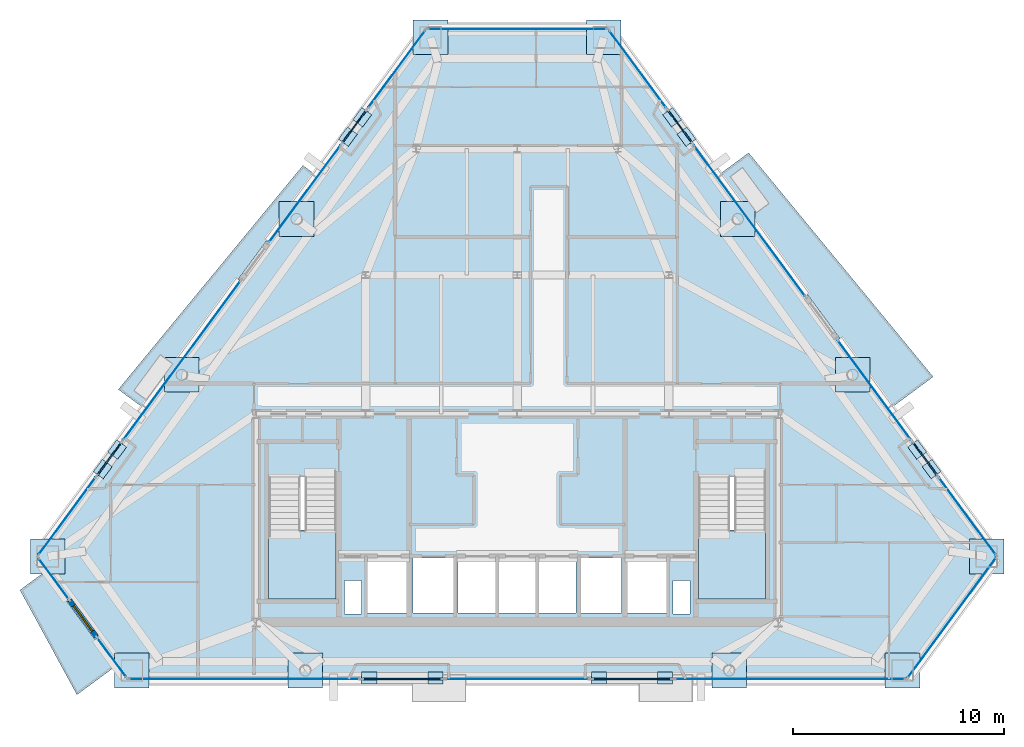
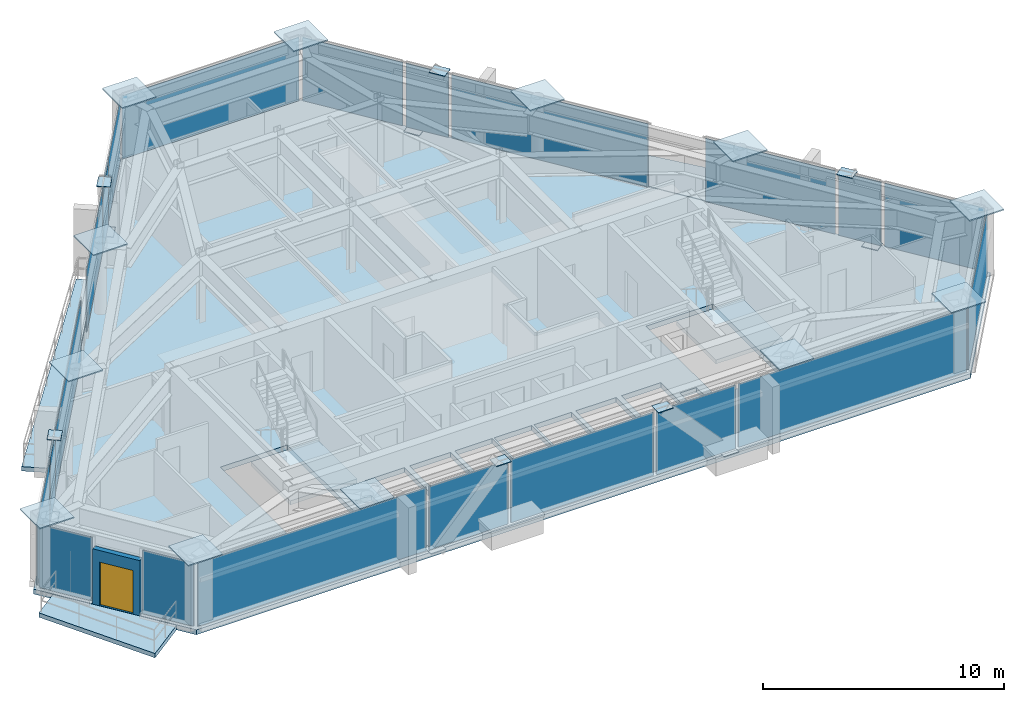
# One storey, part 6 of 12: 45 plates, 6 slabs, 1 door, 1 wall, 1 opening, 23 elements without a shape of their own.
"""IFC4 building model written with IfcOpenShell, lengths in metres."""

import ifcopenshell
import ifcopenshell.guid

model = None  # the IFC model being written
_history = None  # IfcOwnerHistory: only IFC2X3 demands one
_inside = {}  # id of a spatial element -> (the spatial element, [elements in it])
_under = {}  # id of a project, library or spatial element -> (it, [spatial elements below it])
_declared = {}  # id of a project -> (the project, [libraries it declares])
_typed = {}  # id of a type object -> (the type object, [elements of that type])
_made_of = {}  # id of a material, layer set ... -> (it, [elements and type objects made of it])


def new_model(schema):
    """Start an empty IFC model of exactly this schema.

    Asked for "IFC4X3", IfcOpenShell would pick the latest addendum, in which some entities
    have other attributes; the version numbers below select the first issue.
    IFC2X3 requires an IfcOwnerHistory on every rooted entity: one is made here for all.
    """
    global model, _history
    if schema == "IFC4X3":
        model = ifcopenshell.file(schema_version=(4, 3, 0, 0))
    else:
        model = ifcopenshell.file(schema=schema)
    _inside.clear()
    _under.clear()
    _declared.clear()
    _typed.clear()
    _made_of.clear()
    _history = None
    if model.schema == "IFC2X3":
        org = make("IfcOrganization", Name="unknown")
        user = make(
            "IfcPersonAndOrganization",
            ThePerson=make("IfcPerson", FamilyName="unknown"),
            TheOrganization=org,
        )
        app = make(
            "IfcApplication",
            ApplicationDeveloper=org,
            Version="unknown",
            ApplicationFullName="unknown",
            ApplicationIdentifier="unknown",
        )
        _history = make(
            "IfcOwnerHistory",
            OwningUser=user,
            OwningApplication=app,
            ChangeAction="ADDED",
            CreationDate=0,
        )
    return model


def make(cls, **values):
    """One entity of the class cls with the attributes given. An attribute that is None is left unset."""
    return model.create_entity(
        cls, **{name: value for name, value in values.items() if value is not None}
    )


def rooted(cls, **values):
    """An entity with a GlobalId (a new one), such as an element, a storey or a relation."""
    return make(cls, GlobalId=ifcopenshell.guid.new(), OwnerHistory=_history, **values)


def si_unit(unit_type, name, prefix=None):
    """IfcSIUnit, for example si_unit("LENGTHUNIT", "METRE", prefix="MILLI")."""
    return make("IfcSIUnit", UnitType=unit_type, Prefix=prefix, Name=name)


def assignment(units):
    """IfcUnitAssignment: the units of a project."""
    return None if units is None else make("IfcUnitAssignment", Units=units)


def point(xyz):
    """IfcCartesianPoint."""
    return None if xyz is None else make("IfcCartesianPoint", Coordinates=xyz)


def direction(xyz):
    """IfcDirection."""
    return None if xyz is None else make("IfcDirection", DirectionRatios=xyz)


def frame(location, z_axis=None, x_axis=None):
    """IfcAxis2Placement3D, a coordinate frame: its origin and axes. An axis left out is left unset."""
    return make(
        "IfcAxis2Placement3D",
        Location=point(location),
        Axis=direction(z_axis),
        RefDirection=direction(x_axis),
    )


def frame_2d(location, x_axis=None):
    """IfcAxis2Placement2D, a coordinate frame in the plane: its origin and x axis."""
    return make(
        "IfcAxis2Placement2D", Location=point(location), RefDirection=direction(x_axis)
    )


def origin():
    """The frame at (0, 0, 0) with its axes left unset."""
    return frame((0.0, 0.0, 0.0))


def origin_2d():
    """The frame at (0, 0) in the plane with its x axis left unset."""
    return frame_2d((0.0, 0.0))


def place(relative_to, where):
    """IfcLocalPlacement: puts the frame where relative to a parent placement (None: the world)."""
    return make(
        "IfcLocalPlacement", PlacementRelTo=relative_to, RelativePlacement=where
    )


def context(
    kind, dimensions, precision=None, world=None, true_north=None, identifier=None
):
    """IfcGeometricRepresentationContext, for example the 3D "Model" context."""
    return make(
        "IfcGeometricRepresentationContext",
        ContextIdentifier=identifier,
        ContextType=kind,
        CoordinateSpaceDimension=dimensions,
        Precision=precision,
        WorldCoordinateSystem=world,
        TrueNorth=true_north,
    )


def subcontext(parent, identifier, kind, view, scale=None):
    """IfcGeometricRepresentationSubContext, for example "Body" below "Model"."""
    return make(
        "IfcGeometricRepresentationSubContext",
        ContextIdentifier=identifier,
        ContextType=kind,
        ParentContext=parent,
        TargetScale=scale,
        TargetView=view,
    )


def project(units=None, contexts=None):
    """IfcProject with its units and contexts."""
    return rooted(
        "IfcProject",
        Name="project",
        RepresentationContexts=contexts,
        UnitsInContext=assignment(units),
    )


def spatial(cls, under=None, at=None, **own):
    """A site, building, storey or space (cls), placed at a placement, below another one or the project."""
    s = rooted(cls, ObjectPlacement=at, **own)
    if under is not None:
        _under.setdefault(under.id(), (under, []))[1].append(s)
    return s


def polyline(points):
    """IfcPolyline through the points."""
    return make("IfcPolyline", Points=[point(p) for p in points])


def profile(cls, at=None, kind="AREA", **sizes):
    """A parametric profile (cls). Its sizes go by their IFC names, for example OverallWidth=200.0."""
    return make(cls, ProfileType=kind, Position=at, **sizes)


def rectangle(**sizes):
    """IfcRectangleProfileDef."""
    return profile("IfcRectangleProfileDef", **sizes)


def outline(outer, holes=None, kind="AREA"):
    """IfcArbitraryClosedProfileDef: a profile drawn as a closed curve; with holes, ...WithVoids."""
    if holes is None:
        return make("IfcArbitraryClosedProfileDef", ProfileType=kind, OuterCurve=outer)
    return make(
        "IfcArbitraryProfileDefWithVoids",
        ProfileType=kind,
        OuterCurve=outer,
        InnerCurves=holes,
    )


def extrude(swept, where, along, depth):
    """IfcExtrudedAreaSolid: the profile swept, set in the frame where, extruded along a direction by depth."""
    return make(
        "IfcExtrudedAreaSolid",
        SweptArea=swept,
        Position=where,
        ExtrudedDirection=direction(along),
        Depth=depth,
    )


def shape(context_of_items, identifier, shape_type, items):
    """IfcShapeRepresentation: the items that make up one representation, for example the "Body"."""
    return make(
        "IfcShapeRepresentation",
        ContextOfItems=context_of_items,
        RepresentationIdentifier=identifier,
        RepresentationType=shape_type,
        Items=items,
    )


def source(mapping_origin, context_of_items, identifier, shape_type, items):
    """IfcRepresentationMap: a shape defined once, which mapped items show again and again."""
    return make(
        "IfcRepresentationMap",
        MappingOrigin=mapping_origin,
        MappedRepresentation=shape(context_of_items, identifier, shape_type, items),
    )


def transform(
    local_origin,
    x_axis=None,
    y_axis=None,
    z_axis=None,
    scale=None,
    scale2=None,
    scale3=None,
    uniform=True,
):
    """IfcCartesianTransformationOperator3D, or its non-uniform kind. x_axis, y_axis, z_axis: its Axis1, 2, 3."""
    if uniform:
        return make(
            "IfcCartesianTransformationOperator3D",
            Axis1=direction(x_axis),
            Axis2=direction(y_axis),
            LocalOrigin=point(local_origin),
            Scale=scale,
            Axis3=direction(z_axis),
        )
    return make(
        "IfcCartesianTransformationOperator3DnonUniform",
        Axis1=direction(x_axis),
        Axis2=direction(y_axis),
        LocalOrigin=point(local_origin),
        Scale=scale,
        Axis3=direction(z_axis),
        Scale2=scale2,
        Scale3=scale3,
    )


def mapped(mapping_source, mapping_target):
    """IfcMappedItem: shows the shape of a source again, moved by a transform."""
    return make(
        "IfcMappedItem", MappingSource=mapping_source, MappingTarget=mapping_target
    )


def material(Name=None, Category=None):
    """IfcMaterial."""
    return make("IfcMaterial", Name=Name, Category=Category)


def layer(
    of_material, thickness, ventilated=None, Name=None, Category=None, Priority=None
):
    """IfcMaterialLayer: one layer of a wall or slab, of a material (None: an air gap)."""
    return make(
        "IfcMaterialLayer",
        Material=of_material,
        LayerThickness=thickness,
        IsVentilated=ventilated,
        Name=Name,
        Category=Category,
        Priority=Priority,
    )


def layer_set(layers, Name=None):
    """IfcMaterialLayerSet."""
    return make("IfcMaterialLayerSet", MaterialLayers=layers, LayerSetName=Name)


def made_of(thing, what):
    """Note that an element or type object is made of a material, layer set ...; save() writes the relation."""
    if what is not None:
        _made_of.setdefault(what.id(), (what, []))[1].append(thing)
    return thing


def type_object(cls, material=None, **own):
    """A type object (cls), such as IfcWallType, which elements share."""
    return made_of(rooted(cls, **own), material)


def type_shapes(of_type, sources):
    """Give a type object the sources (RepresentationMaps) that its elements show as mapped items."""
    of_type.RepresentationMaps = sources


def element(
    cls,
    number,
    at=None,
    inside=None,
    cuts=None,
    type_object=None,
    material=None,
    context=None,
    identifier="Body",
    shape_type=None,
    held_by="IfcProductDefinitionShape",
    body=None,
    shapes=None,
    **own,
):
    """One element of the class cls, such as IfcWall. Its Tag is "e" and its number.

    at: its placement. inside: the storey or other place that contains it. cuts: it is an
    opening in that element (IfcRelVoidsElement). A single representation is given by context,
    identifier, shape_type and body (its items); several are given by shapes. held_by: the class
    of the entity that holds the representations. save() writes the other relations.
    """
    e = rooted(cls, Tag="e%d" % number, ObjectPlacement=at, **own)
    if body is not None:
        shapes = [shape(context, identifier, shape_type, body)]
    if shapes is not None:
        e.Representation = make(held_by, Representations=shapes)
    if inside is not None:
        _inside.setdefault(inside.id(), (inside, []))[1].append(e)
    if cuts is not None:
        rooted(
            "IfcRelVoidsElement", RelatingBuildingElement=cuts, RelatedOpeningElement=e
        )
    if type_object is not None:
        _typed.setdefault(type_object.id(), (type_object, []))[1].append(e)
    return made_of(e, material)


def fill(opening, filler):
    """IfcRelFillsElement: the door or window that sits in an opening."""
    return rooted(
        "IfcRelFillsElement",
        RelatingOpeningElement=opening,
        RelatedBuildingElement=filler,
    )


def aggregate(whole, parts):
    """IfcRelAggregates: a whole, such as a stair, and the parts it consists of."""
    return rooted("IfcRelAggregates", RelatingObject=whole, RelatedObjects=parts)


def save(model, path):
    """Write the relations noted so far, then the file.

    IfcRelAggregates (storeys below a building ...), IfcRelContainedInSpatialStructure (elements
    in a storey), IfcRelDefinesByType, IfcRelAssociatesMaterial and IfcRelDeclares: one each for
    every whole, place, type object, material and project.
    """
    for whole, parts in _under.values():
        aggregate(whole, parts)
    for where, things in _inside.values():
        rooted(
            "IfcRelContainedInSpatialStructure",
            RelatedElements=things,
            RelatingStructure=where,
        )
    for kind, things in _typed.values():
        rooted("IfcRelDefinesByType", RelatedObjects=things, RelatingType=kind)
    for what, things in _made_of.values():
        rooted("IfcRelAssociatesMaterial", RelatedObjects=things, RelatingMaterial=what)
    for by, libraries in _declared.values():
        rooted("IfcRelDeclares", RelatingContext=by, RelatedDefinitions=libraries)
    model.write(path)


model = new_model("IFC4")

# Units and contexts
model_context = context("Model", 3, precision=1e-05, world=origin(), true_north=direction((0.0, 1.0)))
body_context = subcontext(model_context, "Body", "Model", "MODEL_VIEW")
ifc_project = project(units=[si_unit("LENGTHUNIT", "METRE"), si_unit("AREAUNIT", "SQUARE_METRE"), si_unit("VOLUMEUNIT", "CUBIC_METRE"), si_unit("PLANEANGLEUNIT", "RADIAN"), si_unit("MASSUNIT", "GRAM", prefix="KILO")], contexts=[model_context])

# Site, building, storey
site_placement = place(None, origin())
site = spatial("IfcSite", under=ifc_project, at=site_placement, CompositionType="ELEMENT")
building_placement = place(site_placement, origin())
building = spatial("IfcBuilding", under=site, at=building_placement, Name="Talgorran Terracotta Tower", CompositionType="ELEMENT")
storey_placement = place(building_placement, frame((0.0, 0.0, 182.10009765625)))
storey = spatial("IfcBuildingStorey", under=building, at=storey_placement, Name="L47", CompositionType="ELEMENT", Elevation=182.10009765625)

# Plates
ifc_material_1 = material(Name="Steel Grade 350 (350L0)", Category="steel")
ifc_layer_1 = layer(ifc_material_1, 0.031982421875, Name="PL_CAP_MN07")
ifc_layer_set_1 = layer_set([ifc_layer_1], Name="Steel Grade 350 (350L0)")
plate_type_1 = type_object("IfcPlateType", Name="PL_CAP_MN07", PredefinedType="USERDEFINED", material=ifc_layer_set_1)
for number, where, z_axis, x_axis, name in (
    (1, (-7.0234375, -16.74560546875, -0.005859375), (0.0, 0.0, 1.0), (1.0, 0.0, 0.0), "L47 Diagonal Frame End Cap SWF Bot"),
    (2, (-3.88134765625, -16.74560546875, 3.32373046875), (0.0, 0.0, 1.0), (1.0, 0.0, 0.0), "L47 Diagonal Frame End Cap SWF Top"),
    (3, (7.023193359375, -16.74560546875, -0.005859375), (0.0, 0.0, 1.0), (-1.0, 0.0, 0.0), "L47 Diagonal Frame End Cap SEF Bot"),
    (4, (3.88134765625, -16.74560546875, 3.32373046875), (0.0, 0.0, 1.0), (-1.0, 0.0, 0.0), "L47 Diagonal Frame End Cap SEF Top"),
    (5, (19.67919921875, -6.818115234375, -0.005859375), (0.0, 0.0, 1.0), (-0.593559358034, 0.804790213963, 0.0), "L47 Diagonal Frame End Cap NEL Bot"),
    (6, (18.996826171875, -5.892578125, 3.32373046875), (0.0, 0.0, 1.0), (-0.593559358034, 0.804790213963, 0.0), "L47 Diagonal Frame End Cap NEL Top"),
    (7, (7.35791015625, 9.891357421875, -0.005859375), (0.0, 0.0, 1.0), (0.593559358034, -0.804790213963, 0.0), "L47 Diagonal Frame End Cap NEU Bot"),
    (8, (8.040283203125, 8.9658203125, 3.32373046875), (0.0, 0.0, 1.0), (0.593559358034, -0.804790213963, 0.0), "L47 Diagonal Frame End Cap NEU Top"),
    (9, (-7.35791015625, 9.891357421875, -0.005859375), (0.0, 0.0, 1.0), (-0.593559358034, -0.804790213963, 0.0), "L47 Diagonal Frame End Cap NWU Bot"),
    (10, (-8.040283203125, 8.9658203125, 3.32373046875), (0.0, 0.0, 1.0), (-0.593559358034, -0.804790213963, 0.0), "L47 Diagonal Frame End Cap NWU Top"),
    (11, (-19.67919921875, -6.818115234375, -0.005859375), (0.0, 0.0, 1.0), (0.593559358034, 0.804790213963, 0.0), "L47 Diagonal Frame End Cap NWL Bot"),
    (12, (-18.996826171875, -5.892578125, 3.32373046875), (0.0, 0.0, 1.0), (0.593559358034, 0.804790213963, 0.0), "L47 Diagonal Frame End Cap NWL Top"),
):
    element("IfcPlate", number, at=place(storey_placement, frame(where, z_axis=z_axis, x_axis=x_axis)), inside=storey, type_object=plate_type_1, Name=name, ObjectType="CAP PLATE", PredefinedType="USERDEFINED", context=body_context, shape_type="SweptSolid", body=[
        extrude(rectangle(XDim=0.719970703125, YDim=0.580078125, at=origin_2d()), origin(), (0.0, 0.0, 1.0), 0.031982421875),
    ])
ifc_layer_2 = layer(ifc_material_1, 0.06005859375, Name="PL_NODE_MN01")
ifc_layer_set_2 = layer_set([ifc_layer_2], Name="Steel Grade 350 (350L0)")
plate_type_2 = type_object("IfcPlateType", Name="PL_NODE_MN01", PredefinedType="USERDEFINED", material=ifc_layer_set_2)
for number, where, z_axis, x_axis, name in (
    (13, (-22.2939453125, -10.97021484375, 3.5849609375), (0.0, 0.0, 1.0), (1.0, 0.0, 0.0), "L47 Mega-Column Cap Plate MC1"),
    (14, (-18.30078125, -16.385498046875, 3.5849609375), (0.0, 0.0, 1.0), (1.0, 0.0, 0.0), "L47 Mega-Column Cap Plate MC2"),
    (15, (18.30078125, -16.385498046875, 3.5849609375), (0.0, 0.0, 1.0), (1.0, 0.0, 0.0), "L47 Mega-Column Cap Plate MC3"),
    (16, (22.2939453125, -10.97021484375, 3.5849609375), (0.0, 0.0, 1.0), (1.0, 0.0, 0.0), "L47 Mega-Column Cap Plate MC4"),
    (17, (4.114013671875, 13.68359375, 3.5849609375), (0.0, 0.0, 1.0), (1.0, 0.0, 0.0), "L47 Mega-Column Cap Plate MC5"),
    (18, (-4.114013671875, 13.68359375, 3.5849609375), (0.0, 0.0, 1.0), (1.0, 0.0, 0.0), "L47 Mega-Column Cap Plate MC6"),
    (19, (-10.0654296875, -16.385498046875, 3.5849609375), (0.0, 0.0, 1.0), (1.0, 0.0, 0.0), "L47 Facet Column Cap Plate FC1"),
    (20, (10.0654296875, -16.385498046875, 3.5849609375), (0.0, 0.0, 1.0), (1.0, 0.0, 0.0), "L47 Facet Column Cap Plate FC2"),
    (21, (15.930908203125, -2.34130859375, 3.5849609375), (0.0, 0.0, 1.0), (1.0, 0.0, 0.0), "L47 Facet Column Cap Plate FC3"),
    (22, (10.47705078125, 5.0546875, 3.5849609375), (0.0, 0.0, 1.0), (1.0, 0.0, 0.0), "L47 Facet Column Cap Plate FC4"),
    (23, (-10.47705078125, 5.0546875, 3.5849609375), (0.0, 0.0, 1.0), (1.0, 0.0, 0.0), "L47 Facet Column Cap Plate FC5"),
    (24, (-15.930908203125, -2.34130859375, 3.5849609375), (0.0, 0.0, 1.0), (1.0, 0.0, 0.0), "L47 Facet Column Cap Plate FC6"),
):
    element("IfcPlate", number, at=place(storey_placement, frame(where, z_axis=z_axis, x_axis=x_axis)), inside=storey, type_object=plate_type_2, Name=name, ObjectType="NODE PLATE", PredefinedType="USERDEFINED", context=body_context, shape_type="SweptSolid", body=[
        extrude(rectangle(XDim=1.64990234375, YDim=1.64990234375, at=origin_2d()), origin(), (0.0, 0.0, 1.0), 0.06005859375),
    ])

# Slabs
ifc_material_2 = material(Name="Concrete C40/50", Category="concrete")
ifc_layer_3 = layer(ifc_material_2, 0.219970703125, Name="SL_BALCONY_220")
ifc_layer_set_3 = layer_set([ifc_layer_3], Name="Concrete C40/50")
slab_type_1 = type_object("IfcSlabType", Name="SL_BALCONY_220", PredefinedType="FLOOR", material=ifc_layer_set_3)
slab_1_placement = place(storey_placement, frame((0.0, 0.0, -0.22021484375)))
element("IfcSlab", 25, at=slab_1_placement, inside=storey, type_object=slab_type_1, Name="L47 Outdoor Wave Balcony BAL-NE", PredefinedType="FLOOR", context=body_context, shape_type="SweptSolid", body=[
    extrude(outline(polyline([(9.58642578125, 7.163818359375), (17.75439453125, -3.91259765625), (19.75537109375, -2.43701171875), (10.991455078125, 8.199951171875), (9.58642578125, 7.163818359375)])), origin(), (0.0, 0.0, 1.0), 0.22021484375),
])
slab_2_placement = place(storey_placement, frame((0.0, 0.0, -0.22021484375)))
element("IfcSlab", 26, at=slab_2_placement, inside=storey, type_object=slab_type_1, Name="L47 Outdoor Wave Balcony BAL-NW", PredefinedType="FLOOR", context=body_context, shape_type="SweptSolid", body=[
    extrude(outline(polyline([(-17.75439453125, -3.91259765625), (-9.58642578125, 7.163818359375), (-10.177001953125, 7.599365234375), (-18.94091796875, -3.03759765625), (-17.75439453125, -3.91259765625)])), origin(), (0.0, 0.0, 1.0), 0.22021484375),
])
slab_3_placement = place(storey_placement, frame((0.0, 0.0, -0.22021484375)))
element("IfcSlab", 27, at=slab_3_placement, inside=storey, type_object=slab_type_1, Name="L47 Outdoor Wave Balcony BAL-SW", PredefinedType="FLOOR", context=body_context, shape_type="SweptSolid", body=[
    extrude(outline(polyline([(-19.1005859375, -16.202392578125), (-22.427001953125, -11.69140625), (-23.61181640625, -12.565185546875), (-20.90673828125, -17.5341796875), (-19.1005859375, -16.202392578125)])), origin(), (0.0, 0.0, 1.0), 0.22021484375),
])

# Stair, slab
stair_type = type_object("IfcStairType", Name="ST_FIRE_SCISSOR", PredefinedType="HALF_TURN_STAIR", material=ifc_material_2)
stair_1_placement = place(storey_placement, origin())
stair_1 = element("IfcStair", 28, at=stair_1_placement, inside=storey, type_object=stair_type, Name="L47 West Protected Fire Stair ST-01", PredefinedType="HALF_TURN_STAIR")
ifc_layer_4 = layer(ifc_material_2, 0.199951171875, Name="SL_LANDING_200")
ifc_layer_set_4 = layer_set([ifc_layer_4], Name="Concrete C40/50")
slab_type_2 = type_object("IfcSlabType", Name="SL_LANDING_200", PredefinedType="LANDING", material=ifc_layer_set_4)
slab_4_placement = place(storey_placement, frame((0.0, 0.0, 1.599853515625)))
slab_4 = element("IfcSlab", 29, at=slab_4_placement, type_object=slab_type_2, Name="ST-01 landing 1", PredefinedType="LANDING", context=body_context, shape_type="SweptSolid", body=[
    extrude(outline(polyline([(-11.800048828125, -9.719970703125), (-11.800048828125, -13.0), (-8.60009765625, -13.0), (-8.60009765625, -9.719970703125), (-11.800048828125, -9.719970703125)])), origin(), (0.0, 0.0, 1.0), 0.199951171875),
])
aggregate(stair_1, [slab_4])

stair_2_placement = place(storey_placement, origin())
stair_2 = element("IfcStair", 30, at=stair_2_placement, inside=storey, type_object=stair_type, Name="L47 East Protected Fire Stair ST-02", PredefinedType="HALF_TURN_STAIR")
slab_5_placement = place(storey_placement, frame((0.0, 0.0, 1.599853515625)))
slab_5 = element("IfcSlab", 31, at=slab_5_placement, type_object=slab_type_2, Name="ST-02 landing 1", PredefinedType="LANDING", context=body_context, shape_type="SweptSolid", body=[
    extrude(outline(polyline([(8.60009765625, -9.719970703125), (8.60009765625, -13.0), (11.800048828125, -13.0), (11.800048828125, -9.719970703125), (8.60009765625, -9.719970703125)])), origin(), (0.0, 0.0, 1.0), 0.199951171875),
])
aggregate(stair_2, [slab_5])

# Slab
ifc_layer_5 = layer(ifc_material_2, 0.25, Name="SL_TOWER_250")
ifc_layer_set_5 = layer_set([ifc_layer_5], Name="Concrete C40/50")
slab_type_3 = type_object("IfcSlabType", Name="SL_TOWER_250", PredefinedType="FLOOR", material=ifc_layer_set_5)
slab_6_placement = place(storey_placement, frame((0.0, 0.0, -0.25)))
element("IfcSlab", 32, at=slab_6_placement, inside=storey, type_object=slab_type_3, Name="Storey L47 Structural Floor Slab", PredefinedType="FLOOR", context=body_context, shape_type="SweptSolid", body=[
    extrude(outline(polyline([(-22.93994140625, -10.97021484375), (-18.563232421875, -16.905517578125), (18.563232421875, -16.905517578125), (22.93994140625, -10.97021484375), (4.376708984375, 14.20361328125), (-4.376708984375, 14.20361328125), (-22.93994140625, -10.97021484375)]), holes=[polyline([(-11.800048828125, -7.199951171875), (-11.800048828125, -13.0), (-8.60009765625, -13.0), (-8.60009765625, -7.199951171875), (-11.800048828125, -7.199951171875)]), polyline([(8.60009765625, -7.199951171875), (8.60009765625, -13.0), (11.800048828125, -13.0), (11.800048828125, -7.199951171875), (8.60009765625, -7.199951171875)]), polyline([(-7.10009765625, -13.64990234375), (-5.199951171875, -13.64990234375), (-5.199951171875, -11.050048828125), (-7.10009765625, -11.050048828125), (-7.10009765625, -13.64990234375)]), polyline([(5.199951171875, -13.64990234375), (7.10009765625, -13.64990234375), (7.10009765625, -11.050048828125), (5.199951171875, -11.050048828125), (5.199951171875, -13.64990234375)]), polyline([(3.0, -13.64990234375), (4.949951171875, -13.64990234375), (4.949951171875, -11.050048828125), (3.0, -11.050048828125), (3.0, -13.64990234375)]), polyline([(-4.949951171875, -13.64990234375), (-3.0, -13.64990234375), (-3.0, -11.050048828125), (-4.949951171875, -11.050048828125), (-4.949951171875, -13.64990234375)]), polyline([(-2.800048828125, -13.64990234375), (-1.0, -13.64990234375), (-1.0, -11.050048828125), (-2.800048828125, -11.050048828125), (-2.800048828125, -13.64990234375)]), polyline([(-0.89990234375, -13.64990234375), (0.89990234375, -13.64990234375), (0.89990234375, -11.050048828125), (-0.89990234375, -11.050048828125), (-0.89990234375, -13.64990234375)]), polyline([(1.0, -13.64990234375), (2.800048828125, -13.64990234375), (2.800048828125, -11.050048828125), (1.0, -11.050048828125), (1.0, -13.64990234375)]), polyline([(-8.199951171875, -13.699951171875), (-7.39990234375, -13.699951171875), (-7.39990234375, -12.10009765625), (-8.199951171875, -12.10009765625), (-8.199951171875, -13.699951171875)]), polyline([(7.39990234375, -13.699951171875), (8.199951171875, -13.699951171875), (8.199951171875, -12.10009765625), (7.39990234375, -12.10009765625), (7.39990234375, -13.699951171875)])]), origin(), (0.0, 0.0, 1.0), 0.25),
])

# Curtain wall, plate
ifc_material_3 = material(Name="High-Wind Unitised Glazing", Category="glass")
ifc_layer_6 = layer(ifc_material_3, 0.2099609375, Name="CW_SYS3_RES_HIGH")
ifc_layer_set_6 = layer_set([ifc_layer_6], Name="High-Wind Unitised Glazing")
curtain_wall_type = type_object("IfcCurtainWallType", Name="CW_SYS3_RES_HIGH", PredefinedType="NOTDEFINED", material=ifc_layer_set_6)
curtain_wall_1_placement = place(storey_placement, origin())
curtain_wall_1 = element("IfcCurtainWall", 33, at=curtain_wall_1_placement, inside=storey, type_object=curtain_wall_type, Name="CW-L47-F2", PredefinedType="NOTDEFINED")
ifc_material_4 = material(Name="High-Wind Acoustic Vision Glass", Category="glass")
ifc_layer_7 = layer(ifc_material_4, 0.031982421875, Name="PLT_VISION_32")
ifc_layer_set_7 = layer_set([ifc_layer_7], Name="High-Wind Acoustic Vision Glass")
plate_type_3 = type_object("IfcPlateType", Name="PLT_VISION_32", PredefinedType="CURTAIN_PANEL", material=ifc_layer_set_7)
shared_shape_1 = source(origin(), body_context, "Body", "SweptSolid", [
    extrude(rectangle(XDim=7.08544921875, YDim=0.031982421875, at=origin_2d()), origin(), (0.0, 0.0, 1.0), 3.2099609375),
])
plate_1_placement = place(storey_placement, frame((20.646728515625, -13.8779296875, 0.06982421875), z_axis=(0.0, 0.0, 1.0), x_axis=(0.593489814714, 0.804841499819, 0.0)))
plate_1 = element("IfcPlate", 34, at=plate_1_placement, type_object=plate_type_3, Name="CW-L47-2 panel 1.1", PredefinedType="CURTAIN_PANEL", context=body_context, shape_type="MappedRepresentation", body=[
    mapped(shared_shape_1, transform((0.0, 0.0, 0.0), scale=1.0)),
])
aggregate(curtain_wall_1, [plate_1])

curtain_wall_2_placement = place(storey_placement, origin())
curtain_wall_2 = element("IfcCurtainWall", 35, at=curtain_wall_2_placement, inside=storey, type_object=curtain_wall_type, Name="CW-L47-F41B", PredefinedType="NOTDEFINED")
ifc_material_5 = material(Name="Terracotta Insulated Spandrel", Category="masonry")
ifc_layer_8 = layer(ifc_material_5, 0.06494140625, Name="PLT_SPANDREL_TERRA")
ifc_layer_set_8 = layer_set([ifc_layer_8], Name="Terracotta Insulated Spandrel")
plate_type_4 = type_object("IfcPlateType", Name="PLT_SPANDREL_TERRA", PredefinedType="SHEET", material=ifc_layer_set_8)
shared_shape_2 = source(origin(), body_context, "Body", "SweptSolid", [
    extrude(rectangle(XDim=1.925048828125, YDim=0.06494140625, at=origin_2d()), origin(), (0.0, 0.0, 1.0), 3.2099609375),
])
plate_2_placement = place(storey_placement, frame((7.731201171875, 9.4521484375, 0.06982421875), z_axis=(0.0, 0.0, 1.0), x_axis=(-0.59347980676, 0.804848879585, 0.0)))
plate_2 = element("IfcPlate", 36, at=plate_2_placement, type_object=plate_type_4, Name="CW-L47-41B panel 1.1", PredefinedType="CURTAIN_PANEL", context=body_context, shape_type="MappedRepresentation", body=[
    mapped(shared_shape_2, transform((0.0, 0.0, 0.0), scale=1.0)),
])
aggregate(curtain_wall_2, [plate_2])

curtain_wall_3_placement = place(storey_placement, origin())
curtain_wall_3 = element("IfcCurtainWall", 37, at=curtain_wall_3_placement, inside=storey, type_object=curtain_wall_type, Name="CW-L47-F60B", PredefinedType="NOTDEFINED")
plate_3_placement = place(storey_placement, frame((-7.731201171875, 9.4521484375, 0.06982421875), z_axis=(0.0, 0.0, 1.0), x_axis=(-0.593511173341, -0.804825749538, 0.0)))
plate_3 = element("IfcPlate", 38, at=plate_3_placement, type_object=plate_type_4, Name="CW-L47-60B panel 1.1", PredefinedType="CURTAIN_PANEL", context=body_context, shape_type="MappedRepresentation", body=[
    mapped(shared_shape_2, transform((0.0, 0.0, 0.0), scale=1.0)),
])
aggregate(curtain_wall_3, [plate_3])

curtain_wall_4_placement = place(storey_placement, origin())
curtain_wall_4 = element("IfcCurtainWall", 39, at=curtain_wall_4_placement, inside=storey, type_object=curtain_wall_type, Name="CW-L47-F4", PredefinedType="NOTDEFINED")
shared_shape_3 = source(origin(), body_context, "Body", "SweptSolid", [
    extrude(rectangle(XDim=8.4921875, YDim=0.031982421875, at=origin_2d()), origin(), (0.0, 0.0, 1.0), 3.2099609375),
])
plate_4_placement = place(storey_placement, frame((0.0, 14.08349609375, 0.06982421875), z_axis=(0.0, 0.0, 1.0), x_axis=(-1.0, 0.0, 0.0)))
plate_4 = element("IfcPlate", 40, at=plate_4_placement, type_object=plate_type_3, Name="CW-L47-4 panel 1.1", PredefinedType="CURTAIN_PANEL", context=body_context, shape_type="MappedRepresentation", body=[
    mapped(shared_shape_3, transform((0.0, 0.0, 0.0), scale=1.0)),
])
aggregate(curtain_wall_4, [plate_4])

curtain_wall_5_placement = place(storey_placement, origin())
curtain_wall_5 = element("IfcCurtainWall", 41, at=curtain_wall_5_placement, inside=storey, type_object=curtain_wall_type, Name="CW-L47-F40B", PredefinedType="NOTDEFINED")
shared_shape_4 = source(origin(), body_context, "Body", "SweptSolid", [
    extrude(rectangle(XDim=1.92529296875, YDim=0.06494140625, at=origin_2d()), origin(), (0.0, 0.0, 1.0), 3.2099609375),
])
plate_5_placement = place(storey_placement, frame((19.370361328125, -6.33154296875, 0.06982421875), z_axis=(0.0, 0.0, 1.0), x_axis=(-0.593488044001, 0.804842805539, 0.0)))
plate_5 = element("IfcPlate", 42, at=plate_5_placement, type_object=plate_type_4, Name="CW-L47-40B panel 1.1", PredefinedType="CURTAIN_PANEL", context=body_context, shape_type="MappedRepresentation", body=[
    mapped(shared_shape_4, transform((0.0, 0.0, 0.0), scale=1.0)),
])
aggregate(curtain_wall_5, [plate_5])

curtain_wall_6_placement = place(storey_placement, origin())
curtain_wall_6 = element("IfcCurtainWall", 43, at=curtain_wall_6_placement, inside=storey, type_object=curtain_wall_type, Name="CW-L47-F61B", PredefinedType="NOTDEFINED")
plate_6_placement = place(storey_placement, frame((-19.370361328125, -6.33154296875, 0.06982421875), z_axis=(0.0, 0.0, 1.0), x_axis=(-0.593488044001, -0.804842805539, 0.0)))
plate_6 = element("IfcPlate", 44, at=plate_6_placement, type_object=plate_type_4, Name="CW-L47-61B panel 1.1", PredefinedType="CURTAIN_PANEL", context=body_context, shape_type="MappedRepresentation", body=[
    mapped(shared_shape_4, transform((0.0, 0.0, 0.0), scale=1.0)),
])
aggregate(curtain_wall_6, [plate_6])

curtain_wall_7_placement = place(storey_placement, origin())
curtain_wall_7 = element("IfcCurtainWall", 45, at=curtain_wall_7_placement, inside=storey, type_object=curtain_wall_type, Name="CW-L47-F10", PredefinedType="NOTDEFINED")
shared_shape_5 = source(origin(), body_context, "Body", "SweptSolid", [
    extrude(rectangle(XDim=2.398193359375, YDim=0.031982421875, at=origin_2d()), origin(), (0.0, 0.0, 1.0), 3.2099609375),
])
plate_7_placement = place(storey_placement, frame((-22.013916015625, -12.02392578125, 0.06982421875), z_axis=(0.0, 0.0, 1.0), x_axis=(0.593500038424, -0.804833960759, 0.0)))
plate_7 = element("IfcPlate", 46, at=plate_7_placement, type_object=plate_type_3, Name="CW-L47-10 panel 1.1", PredefinedType="CURTAIN_PANEL", context=body_context, shape_type="MappedRepresentation", body=[
    mapped(shared_shape_5, transform((0.0, 0.0, 0.0), scale=1.0)),
])
aggregate(curtain_wall_7, [plate_7])

curtain_wall_8_placement = place(storey_placement, origin())
curtain_wall_8 = element("IfcCurtainWall", 47, at=curtain_wall_8_placement, inside=storey, type_object=curtain_wall_type, Name="CW-L47-F11", PredefinedType="NOTDEFINED")
shared_shape_6 = source(origin(), body_context, "Body", "SweptSolid", [
    extrude(rectangle(XDim=2.307373046875, YDim=0.031982421875, at=origin_2d()), origin(), (0.0, 0.0, 1.0), 3.2099609375),
])
plate_8_placement = place(storey_placement, frame((-19.252685546875, -15.7685546875, 0.06982421875), z_axis=(0.0, 0.0, 1.0), x_axis=(0.593501453293, -0.804832917405, 0.0)))
plate_8 = element("IfcPlate", 48, at=plate_8_placement, type_object=plate_type_3, Name="CW-L47-11 panel 1.1", PredefinedType="CURTAIN_PANEL", context=body_context, shape_type="MappedRepresentation", body=[
    mapped(shared_shape_6, transform((0.0, 0.0, 0.0), scale=1.0)),
])
aggregate(curtain_wall_8, [plate_8])

curtain_wall_9_placement = place(storey_placement, origin())
curtain_wall_9 = element("IfcCurtainWall", 49, at=curtain_wall_9_placement, inside=storey, type_object=curtain_wall_type, Name="CW-L47-F1", PredefinedType="NOTDEFINED")
shared_shape_7 = source(origin(), body_context, "Body", "SweptSolid", [
    extrude(rectangle(XDim=10.94189453125, YDim=0.031982421875, at=origin_2d()), origin(), (0.0, 0.0, 1.0), 3.2099609375),
])
plate_9_placement = place(storey_placement, frame((-12.961669921875, -16.78564453125, 0.06982421875), z_axis=(0.0, 0.0, 1.0), x_axis=(1.0, 0.0, 0.0)))
plate_9 = element("IfcPlate", 50, at=plate_9_placement, type_object=plate_type_3, Name="CW-L47-1 panel 1.1", PredefinedType="CURTAIN_PANEL", context=body_context, shape_type="MappedRepresentation", body=[
    mapped(shared_shape_7, transform((0.0, 0.0, 0.0), scale=1.0)),
])
aggregate(curtain_wall_9, [plate_9])

curtain_wall_10_placement = place(storey_placement, origin())
curtain_wall_10 = element("IfcCurtainWall", 51, at=curtain_wall_10_placement, inside=storey, type_object=curtain_wall_type, Name="CW-L47-F1E", PredefinedType="NOTDEFINED")
plate_10_placement = place(storey_placement, frame((12.961669921875, -16.78564453125, 0.06982421875), z_axis=(0.0, 0.0, 1.0), x_axis=(1.0, 0.0, 0.0)))
plate_10 = element("IfcPlate", 52, at=plate_10_placement, type_object=plate_type_3, Name="CW-L47-1E panel 1.1", PredefinedType="CURTAIN_PANEL", context=body_context, shape_type="MappedRepresentation", body=[
    mapped(shared_shape_7, transform((0.0, 0.0, 0.0), scale=1.0)),
])
aggregate(curtain_wall_10, [plate_10])

curtain_wall_11_placement = place(storey_placement, origin())
curtain_wall_11 = element("IfcCurtainWall", 53, at=curtain_wall_11_placement, inside=storey, type_object=curtain_wall_type, Name="CW-L47-F1B", PredefinedType="NOTDEFINED")
shared_shape_8 = source(origin(), body_context, "Body", "SweptSolid", [
    extrude(rectangle(XDim=3.77685546875, YDim=0.06494140625, at=origin_2d()), origin(), (0.0, 0.0, 1.0), 3.2099609375),
])
type_shapes(plate_type_4, [shared_shape_2, shared_shape_4, shared_shape_8])
plate_11_placement = place(storey_placement, frame((-5.452392578125, -16.78564453125, 0.06982421875), z_axis=(0.0, 0.0, 1.0), x_axis=(1.0, 0.0, 0.0)))
plate_11 = element("IfcPlate", 54, at=plate_11_placement, type_object=plate_type_4, Name="CW-L47-1B panel 1.1", PredefinedType="CURTAIN_PANEL", context=body_context, shape_type="MappedRepresentation", body=[
    mapped(shared_shape_8, transform((0.0, 0.0, 0.0), scale=1.0)),
])
aggregate(curtain_wall_11, [plate_11])

curtain_wall_12_placement = place(storey_placement, origin())
curtain_wall_12 = element("IfcCurtainWall", 55, at=curtain_wall_12_placement, inside=storey, type_object=curtain_wall_type, Name="CW-L47-F1D", PredefinedType="NOTDEFINED")
plate_12_placement = place(storey_placement, frame((5.452392578125, -16.78564453125, 0.06982421875), z_axis=(0.0, 0.0, 1.0), x_axis=(1.0, 0.0, 0.0)))
plate_12 = element("IfcPlate", 56, at=plate_12_placement, type_object=plate_type_4, Name="CW-L47-1D panel 1.1", PredefinedType="CURTAIN_PANEL", context=body_context, shape_type="MappedRepresentation", body=[
    mapped(shared_shape_8, transform((0.0, 0.0, 0.0), scale=1.0)),
])
aggregate(curtain_wall_12, [plate_12])

curtain_wall_13_placement = place(storey_placement, origin())
curtain_wall_13 = element("IfcCurtainWall", 57, at=curtain_wall_13_placement, inside=storey, type_object=curtain_wall_type, Name="CW-L47-F1C", PredefinedType="NOTDEFINED")
shared_shape_9 = source(origin(), body_context, "Body", "SweptSolid", [
    extrude(rectangle(XDim=6.827880859375, YDim=0.031982421875, at=origin_2d()), origin(), (0.0, 0.0, 1.0), 3.2099609375),
])
plate_13_placement = place(storey_placement, frame((0.0, -16.78564453125, 0.06982421875), z_axis=(0.0, 0.0, 1.0), x_axis=(1.0, 0.0, 0.0)))
plate_13 = element("IfcPlate", 58, at=plate_13_placement, type_object=plate_type_3, Name="CW-L47-1C panel 1.1", PredefinedType="CURTAIN_PANEL", context=body_context, shape_type="MappedRepresentation", body=[
    mapped(shared_shape_9, transform((0.0, 0.0, 0.0), scale=1.0)),
])
aggregate(curtain_wall_13, [plate_13])

curtain_wall_14_placement = place(storey_placement, origin())
curtain_wall_14 = element("IfcCurtainWall", 59, at=curtain_wall_14_placement, inside=storey, type_object=curtain_wall_type, Name="CW-L47-F40", PredefinedType="NOTDEFINED")
shared_shape_10 = source(origin(), body_context, "Body", "SweptSolid", [
    extrude(rectangle(XDim=4.541015625, YDim=0.031982421875, at=origin_2d()), origin(), (0.0, 0.0, 1.0), 3.2099609375),
])
plate_14_placement = place(storey_placement, frame((21.378173828125, -9.054443359375, 0.06982421875), z_axis=(0.0, 0.0, 1.0), x_axis=(-0.593496310034, 0.804836710132, 0.0)))
plate_14 = element("IfcPlate", 60, at=plate_14_placement, type_object=plate_type_3, Name="CW-L47-40 panel 1.1", PredefinedType="CURTAIN_PANEL", context=body_context, shape_type="MappedRepresentation", body=[
    mapped(shared_shape_10, transform((0.0, 0.0, 0.0), scale=1.0)),
])
aggregate(curtain_wall_14, [plate_14])

curtain_wall_15_placement = place(storey_placement, origin())
curtain_wall_15 = element("IfcCurtainWall", 61, at=curtain_wall_15_placement, inside=storey, type_object=curtain_wall_type, Name="CW-L47-F61C", PredefinedType="NOTDEFINED")
plate_15_placement = place(storey_placement, frame((-21.378173828125, -9.054443359375, 0.06982421875), z_axis=(0.0, 0.0, 1.0), x_axis=(-0.593496310034, -0.804836710132, 0.0)))
plate_15 = element("IfcPlate", 62, at=plate_15_placement, type_object=plate_type_3, Name="CW-L47-61C panel 1.1", PredefinedType="CURTAIN_PANEL", context=body_context, shape_type="MappedRepresentation", body=[
    mapped(shared_shape_10, transform((0.0, 0.0, 0.0), scale=1.0)),
])
aggregate(curtain_wall_15, [plate_15])

curtain_wall_16_placement = place(storey_placement, origin())
curtain_wall_16 = element("IfcCurtainWall", 63, at=curtain_wall_16_placement, inside=storey, type_object=curtain_wall_type, Name="CW-L47-F40C", PredefinedType="NOTDEFINED")
shared_shape_11 = source(origin(), body_context, "Body", "SweptSolid", [
    extrude(rectangle(XDim=5.887451171875, YDim=0.031982421875, at=origin_2d()), origin(), (0.0, 0.0, 1.0), 3.2099609375),
])
plate_16_placement = place(storey_placement, frame((16.962890625, -3.06689453125, 0.06982421875), z_axis=(0.0, 0.0, 1.0), x_axis=(-0.593492713351, 0.804839362357, 0.0)))
plate_16 = element("IfcPlate", 64, at=plate_16_placement, type_object=plate_type_3, Name="CW-L47-40C panel 1.1", PredefinedType="CURTAIN_PANEL", context=body_context, shape_type="MappedRepresentation", body=[
    mapped(shared_shape_11, transform((0.0, 0.0, 0.0), scale=1.0)),
])
aggregate(curtain_wall_16, [plate_16])

curtain_wall_17_placement = place(storey_placement, origin())
curtain_wall_17 = element("IfcCurtainWall", 65, at=curtain_wall_17_placement, inside=storey, type_object=curtain_wall_type, Name="CW-L47-F41", PredefinedType="NOTDEFINED")
shared_shape_12 = source(origin(), body_context, "Body", "SweptSolid", [
    extrude(rectangle(XDim=8.8984375, YDim=0.031982421875, at=origin_2d()), origin(), (0.0, 0.0, 1.0), 3.2099609375),
])
plate_17_placement = place(storey_placement, frame((11.031982421875, 4.975830078125, 0.06982421875), z_axis=(0.0, 0.0, 1.0), x_axis=(-0.593488845546, 0.804842214482, 0.0)))
plate_17 = element("IfcPlate", 66, at=plate_17_placement, type_object=plate_type_3, Name="CW-L47-41 panel 1.1", PredefinedType="CURTAIN_PANEL", context=body_context, shape_type="MappedRepresentation", body=[
    mapped(shared_shape_12, transform((0.0, 0.0, 0.0), scale=1.0)),
])
aggregate(curtain_wall_17, [plate_17])

curtain_wall_18_placement = place(storey_placement, origin())
curtain_wall_18 = element("IfcCurtainWall", 67, at=curtain_wall_18_placement, inside=storey, type_object=curtain_wall_type, Name="CW-L47-F41C", PredefinedType="NOTDEFINED")
shared_shape_13 = source(origin(), body_context, "Body", "SweptSolid", [
    extrude(rectangle(XDim=4.53173828125, YDim=0.031982421875, at=origin_2d()), origin(), (0.0, 0.0, 1.0), 3.2099609375),
])
plate_18_placement = place(storey_placement, frame((5.72607421875, 12.17138671875, 0.06982421875), z_axis=(0.0, 0.0, 1.0), x_axis=(-0.593500551546, 0.804833582372, 0.0)))
plate_18 = element("IfcPlate", 68, at=plate_18_placement, type_object=plate_type_3, Name="CW-L47-41C panel 1.1", PredefinedType="CURTAIN_PANEL", context=body_context, shape_type="MappedRepresentation", body=[
    mapped(shared_shape_13, transform((0.0, 0.0, 0.0), scale=1.0)),
])
aggregate(curtain_wall_18, [plate_18])

curtain_wall_19_placement = place(storey_placement, origin())
curtain_wall_19 = element("IfcCurtainWall", 69, at=curtain_wall_19_placement, inside=storey, type_object=curtain_wall_type, Name="CW-L47-F60", PredefinedType="NOTDEFINED")
plate_19_placement = place(storey_placement, frame((-5.72607421875, 12.17138671875, 0.06982421875), z_axis=(0.0, 0.0, 1.0), x_axis=(-0.593500551546, -0.804833582372, 0.0)))
plate_19 = element("IfcPlate", 70, at=plate_19_placement, type_object=plate_type_3, Name="CW-L47-60 panel 1.1", PredefinedType="CURTAIN_PANEL", context=body_context, shape_type="MappedRepresentation", body=[
    mapped(shared_shape_13, transform((0.0, 0.0, 0.0), scale=1.0)),
])
aggregate(curtain_wall_19, [plate_19])

curtain_wall_20_placement = place(storey_placement, origin())
curtain_wall_20 = element("IfcCurtainWall", 71, at=curtain_wall_20_placement, inside=storey, type_object=curtain_wall_type, Name="CW-L47-F60C", PredefinedType="NOTDEFINED")
shared_shape_14 = source(origin(), body_context, "Body", "SweptSolid", [
    extrude(rectangle(XDim=5.707763671875, YDim=0.031982421875, at=origin_2d()), origin(), (0.0, 0.0, 1.0), 3.2099609375),
])
plate_20_placement = place(storey_placement, frame((-10.085205078125, 6.260009765625, 0.06982421875), z_axis=(0.0, 0.0, 1.0), x_axis=(-0.59349299352, -0.804839155759, 0.0)))
plate_20 = element("IfcPlate", 72, at=plate_20_placement, type_object=plate_type_3, Name="CW-L47-60C panel 1.1", PredefinedType="CURTAIN_PANEL", context=body_context, shape_type="MappedRepresentation", body=[
    mapped(shared_shape_14, transform((0.0, 0.0, 0.0), scale=1.0)),
])
aggregate(curtain_wall_20, [plate_20])

curtain_wall_21_placement = place(storey_placement, origin())
curtain_wall_21 = element("IfcCurtainWall", 73, at=curtain_wall_21_placement, inside=storey, type_object=curtain_wall_type, Name="CW-L47-F61", PredefinedType="NOTDEFINED")
shared_shape_15 = source(origin(), body_context, "Body", "SweptSolid", [
    extrude(rectangle(XDim=9.378173828125, YDim=0.031982421875, at=origin_2d()), origin(), (0.0, 0.0, 1.0), 3.2099609375),
])
type_shapes(plate_type_3, [shared_shape_1, shared_shape_3, shared_shape_5, shared_shape_6, shared_shape_7, shared_shape_9, shared_shape_10, shared_shape_11, shared_shape_12, shared_shape_13, shared_shape_14, shared_shape_15])
plate_21_placement = place(storey_placement, frame((-15.927001953125, -1.662109375, 0.06982421875), z_axis=(0.0, 0.0, 1.0), x_axis=(-0.593490001499, -0.804841362084, 0.0)))
plate_21 = element("IfcPlate", 74, at=plate_21_placement, type_object=plate_type_3, Name="CW-L47-61 panel 1.1", PredefinedType="CURTAIN_PANEL", context=body_context, shape_type="MappedRepresentation", body=[
    mapped(shared_shape_15, transform((0.0, 0.0, 0.0), scale=1.0)),
])
aggregate(curtain_wall_21, [plate_21])

# Wall, opening, door
ifc_layer_9 = layer(ifc_material_2, 0.239990234375, Name="WT_BALCONY_SPAND")
ifc_layer_set_9 = layer_set([ifc_layer_9], Name="Concrete C40/50")
wall_type = type_object("IfcWallType", Name="WT_BALCONY_SPAND", PredefinedType="STANDARD", material=ifc_layer_set_9)
wall_placement = place(storey_placement, frame((-21.2548828125, -13.05322265625, -0.01513671875), z_axis=(0.0, 0.0, 1.0), x_axis=(0.593463631131, -0.804860806926, 0.0)))
wall = element("IfcWall", 75, at=wall_placement, inside=storey, type_object=wall_type, Name="WL-L47-BALP-BAL-SW", PredefinedType="STANDARD", context=body_context, shape_type="SweptSolid", body=[
    extrude(rectangle(XDim=2.139892578125, YDim=0.239990234375, at=frame_2d((1.06982421875, 0.0))), origin(), (0.0, 0.0, 1.0), 2.80712890625),
])
opening_placement = place(wall_placement, frame((0.320068359375, 0.0, 0.014892578125)))
opening = element("IfcOpeningElement", 76, at=opening_placement, cuts=wall, Name="Opening D-BAL-L47-3", PredefinedType="OPENING", context=body_context, shape_type="SweptSolid", body=[
    extrude(rectangle(XDim=1.506, YDim=2.203951171875, at=frame_2d((0.75, 1.10205078125))), frame((0.0, 0.1298828125, 0.0), z_axis=(0.0, -1.0, 0.0), x_axis=(1.0, 0.0, 0.0)), (0.0, 0.0, 1.0), 0.260009765625),
])
ifc_material_6 = material(Name="Thermally Broken Aluminium", Category="aluminium")
door_type = type_object("IfcDoorType", Name="DT_BALC_1500", OperationType="SLIDING_TO_RIGHT", PredefinedType="DOOR", material=ifc_material_6)
door_placement = place(opening_placement, origin())
door = element("IfcDoor", 77, at=door_placement, inside=storey, type_object=door_type, Name="DR-L47-BAL-BAL-SW", OperationType="SLIDING_TO_RIGHT", OverallHeight=2.199951171875, OverallWidth=1.5, PredefinedType="DOOR", context=body_context, shape_type="SweptSolid", body=[
    extrude(rectangle(XDim=1.5, YDim=2.199951171875, at=frame_2d((0.75, 1.10009765625))), frame((0.0, 0.02490234375, 0.0), z_axis=(0.0, -1.0, 0.0), x_axis=(1.0, 0.0, 0.0)), (0.0, 0.0, 1.0), 0.050048828125),
])
fill(opening, door)

save(model, "model.ifc")
